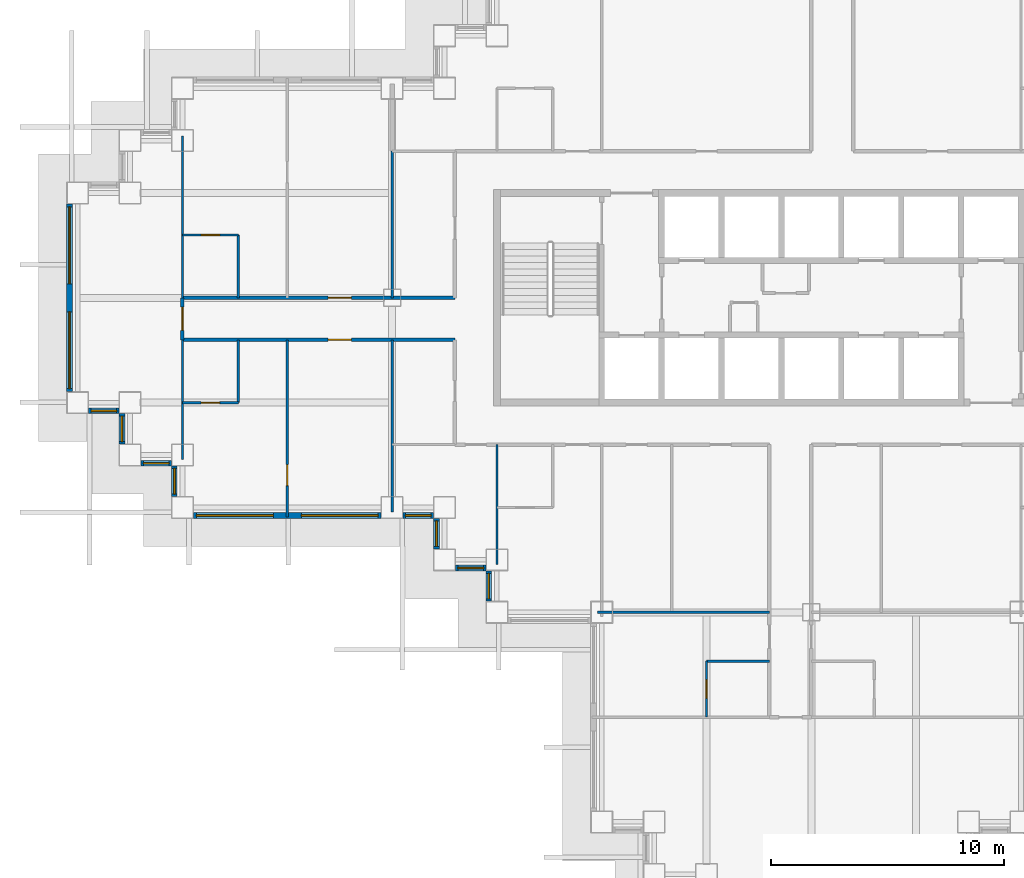
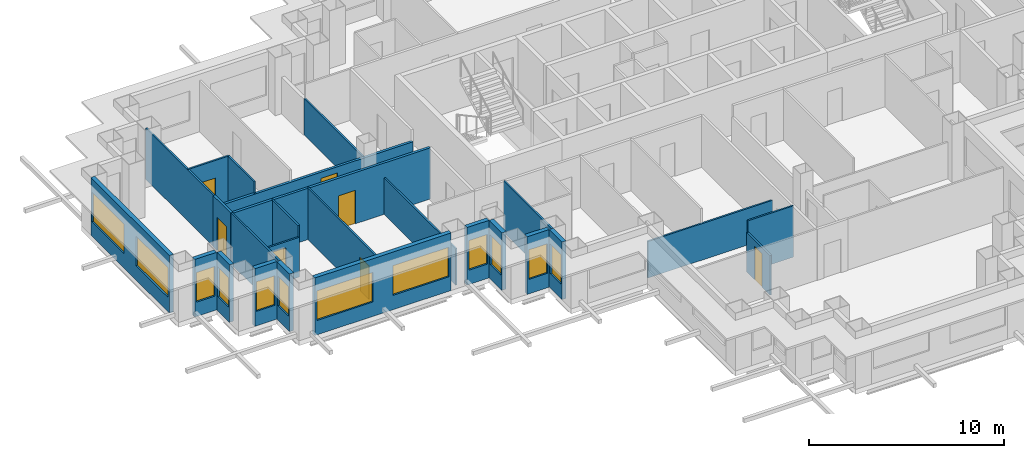
# One storey, part 3 of 15: 26 walls, 12 windows, 7 doors, 19 openings.
"""IFC4 building model written with IfcOpenShell, lengths in metres."""

from ifc_helpers import new_model, si_unit, direction, frame, frame_2d, origin, place, context, subcontext, project, spatial, rectangle, extrude, material, layer, layer_set, type_object, element, fill, save


model = new_model("IFC4")

# Units and contexts
model_context = context("Model", 3, precision=1e-05, world=origin(), true_north=direction((0.0, 1.0)))
body_context = subcontext(model_context, "Body", "Model", "MODEL_VIEW")
ifc_project = project(units=[si_unit("LENGTHUNIT", "METRE"), si_unit("AREAUNIT", "SQUARE_METRE"), si_unit("VOLUMEUNIT", "CUBIC_METRE"), si_unit("PLANEANGLEUNIT", "RADIAN"), si_unit("MASSUNIT", "GRAM", prefix="KILO")], contexts=[model_context])

# Site, building, storey
site_placement = place(None, origin())
site = spatial("IfcSite", under=ifc_project, at=site_placement, CompositionType="ELEMENT")
building_placement = place(site_placement, origin())
building = spatial("IfcBuilding", under=site, at=building_placement, Name="Caravel Reach Hotel and Residences", CompositionType="ELEMENT")
storey_placement = place(building_placement, frame((0.0, 0.0, 92.39990234375)))
storey = spatial("IfcBuildingStorey", under=building, at=storey_placement, Name="L22", CompositionType="ELEMENT", Elevation=92.39990234375)

# Wall
ifc_material_1 = material(Name="Gypsum board on steel stud", Category="steel")
ifc_layer_1 = layer(ifc_material_1, 0.10009765625)
ifc_layer_set_1 = layer_set([ifc_layer_1], Name="Bathroom pod wall 100 mm")
wall_type_1 = type_object("IfcWallType", Name="Bathroom pod wall 100 mm", PredefinedType="PARTITIONING", material=ifc_layer_set_1)
wall_1_placement = place(storey_placement, frame((27.0, 11.39990234375, 0.0), z_axis=(0.0, 0.0, 1.0), x_axis=(1.0, 0.0, 0.0)))
element("IfcWall", 1, at=wall_1_placement, inside=storey, type_object=wall_type_1, Name="L22 wall w072", PredefinedType="PARTITIONING", context=body_context, shape_type="SweptSolid", body=[
    extrude(rectangle(XDim=2.699951171875, YDim=0.10009765625, at=frame_2d((1.35009765625, 0.0))), origin(), (0.0, 0.0, 1.0), 3.2001953125),
])

# Wall, opening, door
wall_2_placement = place(storey_placement, frame((4.5, 22.5, 0.0), z_axis=(0.0, 0.0, 1.0), x_axis=(1.0, 0.0, 0.0)))
wall_2 = element("IfcWall", 2, at=wall_2_placement, inside=storey, type_object=wall_type_1, Name="L22 wall w075", PredefinedType="PARTITIONING", context=body_context, shape_type="SweptSolid", body=[
    extrude(rectangle(XDim=2.39990234375, YDim=0.10009765625, at=frame_2d((1.199951171875, 0.0))), origin(), (0.0, 0.0, 1.0), 2.47998046875),
])
opening_1_placement = place(wall_2_placement, frame((0.800048828125, 0.0, 0.0)))
opening_1 = element("IfcOpeningElement", 3, at=opening_1_placement, cuts=wall_2, Name="Opening D22-018", PredefinedType="OPENING", context=body_context, shape_type="SweptSolid", body=[
    extrude(rectangle(XDim=0.800048828125, YDim=2.10009765625, at=frame_2d((0.39990234375, 1.050048828125))), frame((0.0, 0.06005859375, 0.0), z_axis=(0.0, -1.0, 0.0), x_axis=(1.0, 0.0, 0.0)), (0.0, 0.0, 1.0), 0.1201171875),
])
ifc_material_2 = material(Name="Timber and steel door leaf", Category="steel")
door_type_1 = type_object("IfcDoorType", Name="Bathroom door 800 x 2100", OperationType="SINGLE_SWING_LEFT", PredefinedType="DOOR", material=ifc_material_2)
door_1_placement = place(opening_1_placement, origin())
door_1 = element("IfcDoor", 4, at=door_1_placement, inside=storey, type_object=door_type_1, Name="door D22-018", OperationType="SINGLE_SWING_LEFT", OverallHeight=2.10009765625, OverallWidth=0.800048828125, PredefinedType="DOOR", context=body_context, shape_type="SweptSolid", body=[
    extrude(rectangle(XDim=0.800048828125, YDim=2.10009765625, at=frame_2d((0.39990234375, 1.050048828125))), frame((0.0, 0.02490234375, 0.0), z_axis=(0.0, -1.0, 0.0), x_axis=(1.0, 0.0, 0.0)), (0.0, 0.0, 1.0), 0.050048828125),
])
fill(opening_1, door_1)

wall_3_placement = place(storey_placement, frame((4.5, 29.699951171875, 0.0), z_axis=(0.0, 0.0, 1.0), x_axis=(1.0, 0.0, 0.0)))
wall_3 = element("IfcWall", 5, at=wall_3_placement, inside=storey, type_object=wall_type_1, Name="L22 wall w077", PredefinedType="PARTITIONING", context=body_context, shape_type="SweptSolid", body=[
    extrude(rectangle(XDim=2.39990234375, YDim=0.10009765625, at=frame_2d((1.199951171875, 0.0))), origin(), (0.0, 0.0, 1.0), 3.2001953125),
])
opening_2_placement = place(wall_3_placement, frame((0.800048828125, 0.0, 0.0)))
opening_2 = element("IfcOpeningElement", 6, at=opening_2_placement, cuts=wall_3, Name="Opening D22-021", PredefinedType="OPENING", context=body_context, shape_type="SweptSolid", body=[
    extrude(rectangle(XDim=0.800048828125, YDim=2.10009765625, at=frame_2d((0.39990234375, 1.050048828125))), frame((0.0, 0.06005859375, 0.0), z_axis=(0.0, -1.0, 0.0), x_axis=(1.0, 0.0, 0.0)), (0.0, 0.0, 1.0), 0.1201171875),
])
door_2_placement = place(opening_2_placement, origin())
door_2 = element("IfcDoor", 7, at=door_2_placement, inside=storey, type_object=door_type_1, Name="door D22-021", OperationType="SINGLE_SWING_LEFT", OverallHeight=2.10009765625, OverallWidth=0.800048828125, PredefinedType="DOOR", context=body_context, shape_type="SweptSolid", body=[
    extrude(rectangle(XDim=0.800048828125, YDim=2.10009765625, at=frame_2d((0.39990234375, 1.050048828125))), frame((0.0, 0.02490234375, 0.0), z_axis=(0.0, -1.0, 0.0), x_axis=(1.0, 0.0, 0.0)), (0.0, 0.0, 1.0), 0.050048828125),
])
fill(opening_2, door_2)

wall_4_placement = place(storey_placement, frame((27.0, 9.0, 0.0), z_axis=(0.0, 0.0, 1.0), x_axis=(0.0, 1.0, 0.0)))
wall_4 = element("IfcWall", 8, at=wall_4_placement, inside=storey, type_object=wall_type_1, Name="L22 wall w086", PredefinedType="PARTITIONING", context=body_context, shape_type="SweptSolid", body=[
    extrude(rectangle(XDim=2.39990234375, YDim=0.10009765625, at=frame_2d((1.199951171875, 0.0))), origin(), (0.0, 0.0, 1.0), 2.47998046875),
])
opening_3_placement = place(wall_4_placement, frame((0.800048828125, 0.0, 0.0)))
opening_3 = element("IfcOpeningElement", 9, at=opening_3_placement, cuts=wall_4, Name="Opening D22-031", PredefinedType="OPENING", context=body_context, shape_type="SweptSolid", body=[
    extrude(rectangle(XDim=0.800048828125, YDim=2.10009765625, at=frame_2d((0.39990234375, 1.050048828125))), frame((0.0, 0.06005859375, 0.0), z_axis=(0.0, -1.0, 0.0), x_axis=(1.0, 0.0, 0.0)), (0.0, 0.0, 1.0), 0.1201171875),
])
door_3_placement = place(opening_3_placement, origin())
door_3 = element("IfcDoor", 10, at=door_3_placement, inside=storey, type_object=door_type_1, Name="door D22-031", OperationType="SINGLE_SWING_LEFT", OverallHeight=2.10009765625, OverallWidth=0.800048828125, PredefinedType="DOOR", context=body_context, shape_type="SweptSolid", body=[
    extrude(rectangle(XDim=0.800048828125, YDim=2.10009765625, at=frame_2d((0.39990234375, 1.050048828125))), frame((0.0, 0.02490234375, 0.0), z_axis=(0.0, -1.0, 0.0), x_axis=(1.0, 0.0, 0.0)), (0.0, 0.0, 1.0), 0.050048828125),
])
fill(opening_3, door_3)

# Walls
for number, where, z_axis, x_axis, name in (
    (11, (6.89990234375, 27.0, 0.0), (0.0, 0.0, 1.0), (0.0, 1.0, 0.0), "L22 wall w094"),
    (12, (6.89990234375, 22.5, 0.0), (0.0, 0.0, 1.0), (0.0, 1.0, 0.0), "L22 wall w095"),
):
    element("IfcWall", number, at=place(storey_placement, frame(where, z_axis=z_axis, x_axis=x_axis)), inside=storey, type_object=wall_type_1, Name=name, PredefinedType="PARTITIONING", context=body_context, shape_type="SweptSolid", body=[
        extrude(rectangle(XDim=2.699951171875, YDim=0.10009765625, at=frame_2d((1.35009765625, 0.0))), origin(), (0.0, 0.0, 1.0), 3.2001953125),
    ])

# Wall, opening, door
ifc_material_3 = material(Name="Gypsum board on steel stud, fire-rated", Category="steel")
ifc_layer_2 = layer(ifc_material_3, 0.14990234375)
ifc_layer_set_2 = layer_set([ifc_layer_2], Name="Corridor wall 150 mm EI 60")
wall_type_2 = type_object("IfcWallType", Name="Corridor wall 150 mm EI 60", PredefinedType="PARTITIONING", material=ifc_layer_set_2)
wall_5_placement = place(storey_placement, frame((4.5, 25.199951171875, 0.0), z_axis=(0.0, 0.0, 1.0), x_axis=(1.0, 0.0, 0.0)))
wall_5 = element("IfcWall", 13, at=wall_5_placement, inside=storey, type_object=wall_type_2, Name="L22 wall w009", PredefinedType="PARTITIONING", context=body_context, shape_type="SweptSolid", body=[
    extrude(rectangle(XDim=11.699951171875, YDim=0.14990234375, at=frame_2d((5.85009765625, 0.0))), origin(), (0.0, 0.0, 1.0), 3.2001953125),
])
opening_4_placement = place(wall_5_placement, frame((6.25, 0.0, 0.0)))
opening_4 = element("IfcOpeningElement", 14, at=opening_4_placement, cuts=wall_5, Name="Opening D22-016", PredefinedType="OPENING", context=body_context, shape_type="SweptSolid", body=[
    extrude(rectangle(XDim=1.0, YDim=2.10009765625, at=frame_2d((0.5, 1.050048828125))), frame((0.0, 0.0849609375, 0.0), z_axis=(0.0, -1.0, 0.0), x_axis=(1.0, 0.0, 0.0)), (0.0, 0.0, 1.0), 0.169921875),
])
ifc_material_4 = material(Name="Steel fire door leaf", Category="steel")
door_type_2 = type_object("IfcDoorType", Name="Guest room door 1000 x 2100 EI 30", OperationType="SINGLE_SWING_LEFT", PredefinedType="DOOR", material=ifc_material_4)
door_4_placement = place(opening_4_placement, origin())
door_4 = element("IfcDoor", 15, at=door_4_placement, inside=storey, type_object=door_type_2, Name="door D22-016", OperationType="SINGLE_SWING_LEFT", OverallHeight=2.10009765625, OverallWidth=1.0, PredefinedType="DOOR", context=body_context, shape_type="SweptSolid", body=[
    extrude(rectangle(XDim=1.0, YDim=2.10009765625, at=frame_2d((0.5, 1.050048828125))), frame((0.0, 0.02490234375, 0.0), z_axis=(0.0, -1.0, 0.0), x_axis=(1.0, 0.0, 0.0)), (0.0, 0.0, 1.0), 0.050048828125),
])
fill(opening_4, door_4)

wall_6_placement = place(storey_placement, frame((4.5, 27.0, 0.0), z_axis=(0.0, 0.0, 1.0), x_axis=(1.0, 0.0, 0.0)))
wall_6 = element("IfcWall", 16, at=wall_6_placement, inside=storey, type_object=wall_type_2, Name="L22 wall w014", PredefinedType="PARTITIONING", context=body_context, shape_type="SweptSolid", body=[
    extrude(rectangle(XDim=11.699951171875, YDim=0.14990234375, at=frame_2d((5.85009765625, 0.0))), origin(), (0.0, 0.0, 1.0), 2.47998046875),
])
opening_5_placement = place(wall_6_placement, frame((6.25, 0.0, 0.0)))
opening_5 = element("IfcOpeningElement", 17, at=opening_5_placement, cuts=wall_6, Name="Opening D22-019", PredefinedType="OPENING", context=body_context, shape_type="SweptSolid", body=[
    extrude(rectangle(XDim=1.0, YDim=2.10009765625, at=frame_2d((0.5, 1.050048828125))), frame((0.0, 0.0849609375, 0.0), z_axis=(0.0, -1.0, 0.0), x_axis=(1.0, 0.0, 0.0)), (0.0, 0.0, 1.0), 0.169921875),
])
door_5_placement = place(opening_5_placement, origin())
door_5 = element("IfcDoor", 18, at=door_5_placement, inside=storey, type_object=door_type_2, Name="door D22-019", OperationType="SINGLE_SWING_RIGHT", OverallHeight=2.10009765625, OverallWidth=1.0, PredefinedType="DOOR", context=body_context, shape_type="SweptSolid", body=[
    extrude(rectangle(XDim=1.0, YDim=2.10009765625, at=frame_2d((0.5, 1.050048828125))), frame((0.0, 0.02490234375, 0.0), z_axis=(0.0, -1.0, 0.0), x_axis=(1.0, 0.0, 0.0)), (0.0, 0.0, 1.0), 0.050048828125),
])
fill(opening_5, door_5)

wall_7_placement = place(storey_placement, frame((4.5, 25.199951171875, 0.0), z_axis=(0.0, 0.0, 1.0), x_axis=(0.0, 1.0, 0.0)))
wall_7 = element("IfcWall", 19, at=wall_7_placement, inside=storey, type_object=wall_type_2, Name="L22 wall w034", PredefinedType="PARTITIONING", context=body_context, shape_type="SweptSolid", body=[
    extrude(rectangle(XDim=1.800048828125, YDim=0.14990234375, at=frame_2d((0.89990234375, 0.0))), origin(), (0.0, 0.0, 1.0), 3.2001953125),
])
opening_6_placement = place(wall_7_placement, frame((0.39990234375, 0.0, 0.0)))
opening_6 = element("IfcOpeningElement", 20, at=opening_6_placement, cuts=wall_7, Name="Opening D22-034", PredefinedType="OPENING", context=body_context, shape_type="SweptSolid", body=[
    extrude(rectangle(XDim=1.0, YDim=2.10009765625, at=frame_2d((0.5, 1.050048828125))), frame((0.0, 0.0849609375, 0.0), z_axis=(0.0, -1.0, 0.0), x_axis=(1.0, 0.0, 0.0)), (0.0, 0.0, 1.0), 0.169921875),
])
door_6_placement = place(opening_6_placement, origin())
door_6 = element("IfcDoor", 21, at=door_6_placement, inside=storey, type_object=door_type_2, Name="door D22-034", OperationType="SINGLE_SWING_RIGHT", OverallHeight=2.10009765625, OverallWidth=1.0, PredefinedType="DOOR", context=body_context, shape_type="SweptSolid", body=[
    extrude(rectangle(XDim=1.0, YDim=2.10009765625, at=frame_2d((0.5, 1.050048828125))), frame((0.0, 0.02490234375, 0.0), z_axis=(0.0, -1.0, 0.0), x_axis=(1.0, 0.0, 0.0)), (0.0, 0.0, 1.0), 0.050048828125),
])
fill(opening_6, door_6)

# Wall, openings, windows
ifc_material_5 = material(Name="Insulated rainscreen wall, aluminium cladding", Category="aluminium")
ifc_layer_3 = layer(ifc_material_5, 0.25)
ifc_layer_set_3 = layer_set([ifc_layer_3], Name="EW1 Tower rainscreen wall")
wall_type_3 = type_object("IfcWallType", Name="EW1 Tower rainscreen wall", PredefinedType="SOLIDWALL", material=ifc_layer_set_3)
wall_8_placement = place(storey_placement, frame((-0.35009765625, 31.02490234375, 0.0), z_axis=(0.0, 0.0, 1.0), x_axis=(0.0, -1.0, 0.0)))
wall_8 = element("IfcWall", 22, at=wall_8_placement, inside=storey, type_object=wall_type_3, Name="External wall L22 W50.1", PredefinedType="SOLIDWALL", context=body_context, shape_type="SweptSolid", body=[
    extrude(rectangle(XDim=8.0498046875, YDim=0.25, at=frame_2d((4.02490234375, 0.0))), origin(), (0.0, 0.0, 1.0), 3.60009765625),
])
opening_7_placement = place(wall_8_placement, frame((0.125, 0.0, 0.89990234375)))
opening_7 = element("IfcOpeningElement", 23, at=opening_7_placement, cuts=wall_8, Name="Opening WN7", PredefinedType="OPENING", context=body_context, shape_type="SweptSolid", body=[
    extrude(rectangle(XDim=3.300048828125, YDim=1.85009765625, at=frame_2d((1.64990234375, 0.925048828125))), frame((0.0, 0.135009765625, 0.0), z_axis=(0.0, -1.0, 0.0), x_axis=(1.0, 0.0, 0.0)), (0.0, 0.0, 1.0), 0.27001953125),
])
opening_8_placement = place(wall_8_placement, frame((4.625, 0.0, 0.89990234375)))
opening_8 = element("IfcOpeningElement", 24, at=opening_8_placement, cuts=wall_8, Name="Opening WN7", PredefinedType="OPENING", context=body_context, shape_type="SweptSolid", body=[
    extrude(rectangle(XDim=3.300048828125, YDim=1.85009765625, at=frame_2d((1.64990234375, 0.925048828125))), frame((0.0, 0.135009765625, 0.0), z_axis=(0.0, -1.0, 0.0), x_axis=(1.0, 0.0, 0.0)), (0.0, 0.0, 1.0), 0.27001953125),
])
ifc_material_6 = material(Name="Dark low-e glazing in black aluminium frame", Category="aluminium")
window_type_1 = type_object("IfcWindowType", Name="Hotel guest room window 3300 x 1850", PartitioningType="SINGLE_PANEL", PredefinedType="WINDOW", material=ifc_material_6)
window_1_placement = place(opening_7_placement, origin())
window_1 = element("IfcWindow", 25, at=window_1_placement, inside=storey, type_object=window_type_1, Name="Window L22 W50.1.1", OverallHeight=1.85009765625, OverallWidth=3.300048828125, PartitioningType="SINGLE_PANEL", PredefinedType="WINDOW", context=body_context, shape_type="SweptSolid", body=[
    extrude(rectangle(XDim=3.300048828125, YDim=1.85009765625, at=frame_2d((1.64990234375, 0.925048828125))), frame((0.0, 0.030029296875, 0.0), z_axis=(0.0, -1.0, 0.0), x_axis=(1.0, 0.0, 0.0)), (0.0, 0.0, 1.0), 0.06005859375),
])
fill(opening_7, window_1)
window_2_placement = place(opening_8_placement, origin())
window_2 = element("IfcWindow", 26, at=window_2_placement, inside=storey, type_object=window_type_1, Name="Window L22 W50.1.2", OverallHeight=1.85009765625, OverallWidth=3.300048828125, PartitioningType="SINGLE_PANEL", PredefinedType="WINDOW", context=body_context, shape_type="SweptSolid", body=[
    extrude(rectangle(XDim=3.300048828125, YDim=1.85009765625, at=frame_2d((1.64990234375, 0.925048828125))), frame((0.0, 0.030029296875, 0.0), z_axis=(0.0, -1.0, 0.0), x_axis=(1.0, 0.0, 0.0)), (0.0, 0.0, 1.0), 0.06005859375),
])
fill(opening_8, window_2)

# Wall, opening, window
wall_9_placement = place(storey_placement, frame((0.47509765625, 22.14990234375, 0.0), z_axis=(0.0, 0.0, 1.0), x_axis=(1.0, 0.0, 0.0)))
wall_9 = element("IfcWall", 27, at=wall_9_placement, inside=storey, type_object=wall_type_3, Name="External wall L22 S51.1", PredefinedType="SOLIDWALL", context=body_context, shape_type="SweptSolid", body=[
    extrude(rectangle(XDim=1.2998046875, YDim=0.25, at=frame_2d((0.64990234375, 0.0))), origin(), (0.0, 0.0, 1.0), 3.60009765625),
])
opening_9_placement = place(wall_9_placement, frame((0.10009765625, 0.0, 0.89990234375)))
opening_9 = element("IfcOpeningElement", 28, at=opening_9_placement, cuts=wall_9, Name="Opening WN6", PredefinedType="OPENING", context=body_context, shape_type="SweptSolid", body=[
    extrude(rectangle(XDim=1.10009765625, YDim=1.85009765625, at=frame_2d((0.550048828125, 0.925048828125))), frame((0.0, 0.135009765625, 0.0), z_axis=(0.0, -1.0, 0.0), x_axis=(1.0, 0.0, 0.0)), (0.0, 0.0, 1.0), 0.27001953125),
])
ifc_material_7 = material(Name="Dark low-e glazing in black aluminium frame", Category="aluminium")
window_type_2 = type_object("IfcWindowType", Name="Hotel suite corner window 1100 x 1850", PartitioningType="SINGLE_PANEL", PredefinedType="WINDOW", material=ifc_material_7)
window_3_placement = place(opening_9_placement, origin())
window_3 = element("IfcWindow", 29, at=window_3_placement, inside=storey, type_object=window_type_2, Name="Window L22 S51.1.1", OverallHeight=1.85009765625, OverallWidth=1.10009765625, PartitioningType="SINGLE_PANEL", PredefinedType="WINDOW", context=body_context, shape_type="SweptSolid", body=[
    extrude(rectangle(XDim=1.10009765625, YDim=1.85009765625, at=frame_2d((0.550048828125, 0.925048828125))), frame((0.0, 0.030029296875, 0.0), z_axis=(0.0, -1.0, 0.0), x_axis=(1.0, 0.0, 0.0)), (0.0, 0.0, 1.0), 0.06005859375),
])
fill(opening_9, window_3)

wall_10_placement = place(storey_placement, frame((1.89990234375, 22.02490234375, 0.0), z_axis=(0.0, 0.0, 1.0), x_axis=(0.0, -1.0, 0.0)))
wall_10 = element("IfcWall", 30, at=wall_10_placement, inside=storey, type_object=wall_type_3, Name="External wall L22 W52.1", PredefinedType="SOLIDWALL", context=body_context, shape_type="SweptSolid", body=[
    extrude(rectangle(XDim=1.2998046875, YDim=0.25, at=frame_2d((0.64990234375, 0.0))), origin(), (0.0, 0.0, 1.0), 3.60009765625),
])
opening_10_placement = place(wall_10_placement, frame((0.10009765625, 0.0, 0.89990234375)))
opening_10 = element("IfcOpeningElement", 31, at=opening_10_placement, cuts=wall_10, Name="Opening WN6", PredefinedType="OPENING", context=body_context, shape_type="SweptSolid", body=[
    extrude(rectangle(XDim=1.10009765625, YDim=1.85009765625, at=frame_2d((0.550048828125, 0.925048828125))), frame((0.0, 0.135009765625, 0.0), z_axis=(0.0, -1.0, 0.0), x_axis=(1.0, 0.0, 0.0)), (0.0, 0.0, 1.0), 0.27001953125),
])
window_4_placement = place(opening_10_placement, origin())
window_4 = element("IfcWindow", 32, at=window_4_placement, inside=storey, type_object=window_type_2, Name="Window L22 W52.1.1", OverallHeight=1.85009765625, OverallWidth=1.10009765625, PartitioningType="SINGLE_PANEL", PredefinedType="WINDOW", context=body_context, shape_type="SweptSolid", body=[
    extrude(rectangle(XDim=1.10009765625, YDim=1.85009765625, at=frame_2d((0.550048828125, 0.925048828125))), frame((0.0, 0.030029296875, 0.0), z_axis=(0.0, -1.0, 0.0), x_axis=(1.0, 0.0, 0.0)), (0.0, 0.0, 1.0), 0.06005859375),
])
fill(opening_10, window_4)

wall_11_placement = place(storey_placement, frame((2.72509765625, 19.89990234375, 0.0), z_axis=(0.0, 0.0, 1.0), x_axis=(1.0, 0.0, 0.0)))
wall_11 = element("IfcWall", 33, at=wall_11_placement, inside=storey, type_object=wall_type_3, Name="External wall L22 S53.1", PredefinedType="SOLIDWALL", context=body_context, shape_type="SweptSolid", body=[
    extrude(rectangle(XDim=1.2998046875, YDim=0.25, at=frame_2d((0.64990234375, 0.0))), origin(), (0.0, 0.0, 1.0), 3.60009765625),
])
opening_11_placement = place(wall_11_placement, frame((0.10009765625, 0.0, 0.89990234375)))
opening_11 = element("IfcOpeningElement", 34, at=opening_11_placement, cuts=wall_11, Name="Opening WN6", PredefinedType="OPENING", context=body_context, shape_type="SweptSolid", body=[
    extrude(rectangle(XDim=1.10009765625, YDim=1.85009765625, at=frame_2d((0.550048828125, 0.925048828125))), frame((0.0, 0.135009765625, 0.0), z_axis=(0.0, -1.0, 0.0), x_axis=(1.0, 0.0, 0.0)), (0.0, 0.0, 1.0), 0.27001953125),
])
window_5_placement = place(opening_11_placement, origin())
window_5 = element("IfcWindow", 35, at=window_5_placement, inside=storey, type_object=window_type_2, Name="Window L22 S53.1.1", OverallHeight=1.85009765625, OverallWidth=1.10009765625, PartitioningType="SINGLE_PANEL", PredefinedType="WINDOW", context=body_context, shape_type="SweptSolid", body=[
    extrude(rectangle(XDim=1.10009765625, YDim=1.85009765625, at=frame_2d((0.550048828125, 0.925048828125))), frame((0.0, 0.030029296875, 0.0), z_axis=(0.0, -1.0, 0.0), x_axis=(1.0, 0.0, 0.0)), (0.0, 0.0, 1.0), 0.06005859375),
])
fill(opening_11, window_5)

wall_12_placement = place(storey_placement, frame((4.14990234375, 19.77490234375, 0.0), z_axis=(0.0, 0.0, 1.0), x_axis=(0.0, -1.0, 0.0)))
wall_12 = element("IfcWall", 36, at=wall_12_placement, inside=storey, type_object=wall_type_3, Name="External wall L22 W54.1", PredefinedType="SOLIDWALL", context=body_context, shape_type="SweptSolid", body=[
    extrude(rectangle(XDim=1.2998046875, YDim=0.25, at=frame_2d((0.64990234375, 0.0))), origin(), (0.0, 0.0, 1.0), 3.60009765625),
])
opening_12_placement = place(wall_12_placement, frame((0.10009765625, 0.0, 0.89990234375)))
opening_12 = element("IfcOpeningElement", 37, at=opening_12_placement, cuts=wall_12, Name="Opening WN6", PredefinedType="OPENING", context=body_context, shape_type="SweptSolid", body=[
    extrude(rectangle(XDim=1.10009765625, YDim=1.85009765625, at=frame_2d((0.550048828125, 0.925048828125))), frame((0.0, 0.135009765625, 0.0), z_axis=(0.0, -1.0, 0.0), x_axis=(1.0, 0.0, 0.0)), (0.0, 0.0, 1.0), 0.27001953125),
])
window_6_placement = place(opening_12_placement, origin())
window_6 = element("IfcWindow", 38, at=window_6_placement, inside=storey, type_object=window_type_2, Name="Window L22 W54.1.1", OverallHeight=1.85009765625, OverallWidth=1.10009765625, PartitioningType="SINGLE_PANEL", PredefinedType="WINDOW", context=body_context, shape_type="SweptSolid", body=[
    extrude(rectangle(XDim=1.10009765625, YDim=1.85009765625, at=frame_2d((0.550048828125, 0.925048828125))), frame((0.0, 0.030029296875, 0.0), z_axis=(0.0, -1.0, 0.0), x_axis=(1.0, 0.0, 0.0)), (0.0, 0.0, 1.0), 0.06005859375),
])
fill(opening_12, window_6)

# Wall, openings, windows
wall_13_placement = place(storey_placement, frame((4.97509765625, 17.64990234375, 0.0), z_axis=(0.0, 0.0, 1.0), x_axis=(1.0, 0.0, 0.0)))
wall_13 = element("IfcWall", 39, at=wall_13_placement, inside=storey, type_object=wall_type_3, Name="External wall L22 S55.1", PredefinedType="SOLIDWALL", context=body_context, shape_type="SweptSolid", body=[
    extrude(rectangle(XDim=8.0498046875, YDim=0.25, at=frame_2d((4.02490234375, 0.0))), origin(), (0.0, 0.0, 1.0), 3.60009765625),
])
opening_13_placement = place(wall_13_placement, frame((0.125, 0.0, 0.89990234375)))
opening_13 = element("IfcOpeningElement", 40, at=opening_13_placement, cuts=wall_13, Name="Opening WN7", PredefinedType="OPENING", context=body_context, shape_type="SweptSolid", body=[
    extrude(rectangle(XDim=3.300048828125, YDim=1.85009765625, at=frame_2d((1.64990234375, 0.925048828125))), frame((0.0, 0.135009765625, 0.0), z_axis=(0.0, -1.0, 0.0), x_axis=(1.0, 0.0, 0.0)), (0.0, 0.0, 1.0), 0.27001953125),
])
opening_14_placement = place(wall_13_placement, frame((4.625, 0.0, 0.89990234375)))
opening_14 = element("IfcOpeningElement", 41, at=opening_14_placement, cuts=wall_13, Name="Opening WN7", PredefinedType="OPENING", context=body_context, shape_type="SweptSolid", body=[
    extrude(rectangle(XDim=3.300048828125, YDim=1.85009765625, at=frame_2d((1.64990234375, 0.925048828125))), frame((0.0, 0.135009765625, 0.0), z_axis=(0.0, -1.0, 0.0), x_axis=(1.0, 0.0, 0.0)), (0.0, 0.0, 1.0), 0.27001953125),
])
window_7_placement = place(opening_13_placement, origin())
window_7 = element("IfcWindow", 42, at=window_7_placement, inside=storey, type_object=window_type_1, Name="Window L22 S55.1.1", OverallHeight=1.85009765625, OverallWidth=3.300048828125, PartitioningType="SINGLE_PANEL", PredefinedType="WINDOW", context=body_context, shape_type="SweptSolid", body=[
    extrude(rectangle(XDim=3.300048828125, YDim=1.85009765625, at=frame_2d((1.64990234375, 0.925048828125))), frame((0.0, 0.030029296875, 0.0), z_axis=(0.0, -1.0, 0.0), x_axis=(1.0, 0.0, 0.0)), (0.0, 0.0, 1.0), 0.06005859375),
])
fill(opening_13, window_7)
window_8_placement = place(opening_14_placement, origin())
window_8 = element("IfcWindow", 43, at=window_8_placement, inside=storey, type_object=window_type_1, Name="Window L22 S55.1.2", OverallHeight=1.85009765625, OverallWidth=3.300048828125, PartitioningType="SINGLE_PANEL", PredefinedType="WINDOW", context=body_context, shape_type="SweptSolid", body=[
    extrude(rectangle(XDim=3.300048828125, YDim=1.85009765625, at=frame_2d((1.64990234375, 0.925048828125))), frame((0.0, 0.030029296875, 0.0), z_axis=(0.0, -1.0, 0.0), x_axis=(1.0, 0.0, 0.0)), (0.0, 0.0, 1.0), 0.06005859375),
])
fill(opening_14, window_8)

# Wall, opening, window
wall_14_placement = place(storey_placement, frame((13.97509765625, 17.64990234375, 0.0), z_axis=(0.0, 0.0, 1.0), x_axis=(1.0, 0.0, 0.0)))
wall_14 = element("IfcWall", 44, at=wall_14_placement, inside=storey, type_object=wall_type_3, Name="External wall L22 S55.2", PredefinedType="SOLIDWALL", context=body_context, shape_type="SweptSolid", body=[
    extrude(rectangle(XDim=1.2998046875, YDim=0.25, at=frame_2d((0.64990234375, 0.0))), origin(), (0.0, 0.0, 1.0), 3.60009765625),
])
opening_15_placement = place(wall_14_placement, frame((0.10009765625, 0.0, 0.89990234375)))
opening_15 = element("IfcOpeningElement", 45, at=opening_15_placement, cuts=wall_14, Name="Opening WN6", PredefinedType="OPENING", context=body_context, shape_type="SweptSolid", body=[
    extrude(rectangle(XDim=1.10009765625, YDim=1.85009765625, at=frame_2d((0.550048828125, 0.925048828125))), frame((0.0, 0.135009765625, 0.0), z_axis=(0.0, -1.0, 0.0), x_axis=(1.0, 0.0, 0.0)), (0.0, 0.0, 1.0), 0.27001953125),
])
window_9_placement = place(opening_15_placement, origin())
window_9 = element("IfcWindow", 46, at=window_9_placement, inside=storey, type_object=window_type_2, Name="Window L22 S55.2.1", OverallHeight=1.85009765625, OverallWidth=1.10009765625, PartitioningType="SINGLE_PANEL", PredefinedType="WINDOW", context=body_context, shape_type="SweptSolid", body=[
    extrude(rectangle(XDim=1.10009765625, YDim=1.85009765625, at=frame_2d((0.550048828125, 0.925048828125))), frame((0.0, 0.030029296875, 0.0), z_axis=(0.0, -1.0, 0.0), x_axis=(1.0, 0.0, 0.0)), (0.0, 0.0, 1.0), 0.06005859375),
])
fill(opening_15, window_9)

wall_15_placement = place(storey_placement, frame((15.39990234375, 17.52490234375, 0.0), z_axis=(0.0, 0.0, 1.0), x_axis=(0.0, -1.0, 0.0)))
wall_15 = element("IfcWall", 47, at=wall_15_placement, inside=storey, type_object=wall_type_3, Name="External wall L22 W56.1", PredefinedType="SOLIDWALL", context=body_context, shape_type="SweptSolid", body=[
    extrude(rectangle(XDim=1.2998046875, YDim=0.25, at=frame_2d((0.64990234375, 0.0))), origin(), (0.0, 0.0, 1.0), 3.60009765625),
])
opening_16_placement = place(wall_15_placement, frame((0.10009765625, 0.0, 0.89990234375)))
opening_16 = element("IfcOpeningElement", 48, at=opening_16_placement, cuts=wall_15, Name="Opening WN6", PredefinedType="OPENING", context=body_context, shape_type="SweptSolid", body=[
    extrude(rectangle(XDim=1.10009765625, YDim=1.85009765625, at=frame_2d((0.550048828125, 0.925048828125))), frame((0.0, 0.135009765625, 0.0), z_axis=(0.0, -1.0, 0.0), x_axis=(1.0, 0.0, 0.0)), (0.0, 0.0, 1.0), 0.27001953125),
])
window_10_placement = place(opening_16_placement, origin())
window_10 = element("IfcWindow", 49, at=window_10_placement, inside=storey, type_object=window_type_2, Name="Window L22 W56.1.1", OverallHeight=1.85009765625, OverallWidth=1.10009765625, PartitioningType="SINGLE_PANEL", PredefinedType="WINDOW", context=body_context, shape_type="SweptSolid", body=[
    extrude(rectangle(XDim=1.10009765625, YDim=1.85009765625, at=frame_2d((0.550048828125, 0.925048828125))), frame((0.0, 0.030029296875, 0.0), z_axis=(0.0, -1.0, 0.0), x_axis=(1.0, 0.0, 0.0)), (0.0, 0.0, 1.0), 0.06005859375),
])
fill(opening_16, window_10)

wall_16_placement = place(storey_placement, frame((16.22509765625, 15.39990234375, 0.0), z_axis=(0.0, 0.0, 1.0), x_axis=(1.0, 0.0, 0.0)))
wall_16 = element("IfcWall", 50, at=wall_16_placement, inside=storey, type_object=wall_type_3, Name="External wall L22 S57.1", PredefinedType="SOLIDWALL", context=body_context, shape_type="SweptSolid", body=[
    extrude(rectangle(XDim=1.2998046875, YDim=0.25, at=frame_2d((0.64990234375, 0.0))), origin(), (0.0, 0.0, 1.0), 3.60009765625),
])
opening_17_placement = place(wall_16_placement, frame((0.10009765625, 0.0, 0.89990234375)))
opening_17 = element("IfcOpeningElement", 51, at=opening_17_placement, cuts=wall_16, Name="Opening WN6", PredefinedType="OPENING", context=body_context, shape_type="SweptSolid", body=[
    extrude(rectangle(XDim=1.10009765625, YDim=1.85009765625, at=frame_2d((0.550048828125, 0.925048828125))), frame((0.0, 0.135009765625, 0.0), z_axis=(0.0, -1.0, 0.0), x_axis=(1.0, 0.0, 0.0)), (0.0, 0.0, 1.0), 0.27001953125),
])
window_11_placement = place(opening_17_placement, origin())
window_11 = element("IfcWindow", 52, at=window_11_placement, inside=storey, type_object=window_type_2, Name="Window L22 S57.1.1", OverallHeight=1.85009765625, OverallWidth=1.10009765625, PartitioningType="SINGLE_PANEL", PredefinedType="WINDOW", context=body_context, shape_type="SweptSolid", body=[
    extrude(rectangle(XDim=1.10009765625, YDim=1.85009765625, at=frame_2d((0.550048828125, 0.925048828125))), frame((0.0, 0.030029296875, 0.0), z_axis=(0.0, -1.0, 0.0), x_axis=(1.0, 0.0, 0.0)), (0.0, 0.0, 1.0), 0.06005859375),
])
fill(opening_17, window_11)

wall_17_placement = place(storey_placement, frame((17.64990234375, 15.27490234375, 0.0), z_axis=(0.0, 0.0, 1.0), x_axis=(0.0, -1.0, 0.0)))
wall_17 = element("IfcWall", 53, at=wall_17_placement, inside=storey, type_object=wall_type_3, Name="External wall L22 W58.1", PredefinedType="SOLIDWALL", context=body_context, shape_type="SweptSolid", body=[
    extrude(rectangle(XDim=1.2998046875, YDim=0.25, at=frame_2d((0.64990234375, 0.0))), origin(), (0.0, 0.0, 1.0), 3.60009765625),
])
opening_18_placement = place(wall_17_placement, frame((0.10009765625, 0.0, 0.89990234375)))
opening_18 = element("IfcOpeningElement", 54, at=opening_18_placement, cuts=wall_17, Name="Opening WN6", PredefinedType="OPENING", context=body_context, shape_type="SweptSolid", body=[
    extrude(rectangle(XDim=1.10009765625, YDim=1.85009765625, at=frame_2d((0.550048828125, 0.925048828125))), frame((0.0, 0.135009765625, 0.0), z_axis=(0.0, -1.0, 0.0), x_axis=(1.0, 0.0, 0.0)), (0.0, 0.0, 1.0), 0.27001953125),
])
window_12_placement = place(opening_18_placement, origin())
window_12 = element("IfcWindow", 55, at=window_12_placement, inside=storey, type_object=window_type_2, Name="Window L22 W58.1.1", OverallHeight=1.85009765625, OverallWidth=1.10009765625, PartitioningType="SINGLE_PANEL", PredefinedType="WINDOW", context=body_context, shape_type="SweptSolid", body=[
    extrude(rectangle(XDim=1.10009765625, YDim=1.85009765625, at=frame_2d((0.550048828125, 0.925048828125))), frame((0.0, 0.030029296875, 0.0), z_axis=(0.0, -1.0, 0.0), x_axis=(1.0, 0.0, 0.0)), (0.0, 0.0, 1.0), 0.06005859375),
])
fill(opening_18, window_12)

# Walls
ifc_material_8 = material(Name="Gypsum board on steel stud", Category="steel")
ifc_layer_4 = layer(ifc_material_8, 0.10009765625)
ifc_layer_set_4 = layer_set([ifc_layer_4], Name="Partition 100 mm")
wall_type_4 = type_object("IfcWallType", Name="Partition 100 mm", PredefinedType="PARTITIONING", material=ifc_layer_set_4)
wall_18_placement = place(storey_placement, frame((22.31005859375, 13.5, 0.0), z_axis=(0.0, 0.0, 1.0), x_axis=(1.0, 0.0, 0.0)))
element("IfcWall", 56, at=wall_18_placement, inside=storey, type_object=wall_type_4, Name="L22 wall w040", PredefinedType="PARTITIONING", context=body_context, shape_type="SweptSolid", body=[
    extrude(rectangle(XDim=7.389892578125, YDim=0.10009765625, at=frame_2d((3.69482421875, 0.0))), origin(), (0.0, 0.0, 1.0), 2.280029296875),
])
wall_19_placement = place(storey_placement, frame((13.5, 27.0, 0.0), z_axis=(0.0, 0.0, 1.0), x_axis=(0.0, 1.0, 0.0)))
element("IfcWall", 57, at=wall_19_placement, inside=storey, type_object=wall_type_4, Name="L22 wall w051", PredefinedType="PARTITIONING", context=body_context, shape_type="SweptSolid", body=[
    extrude(rectangle(XDim=6.300048828125, YDim=0.10009765625, at=frame_2d((3.14990234375, 0.0))), origin(), (0.0, 0.0, 1.0), 2.280029296875),
])
wall_20_placement = place(storey_placement, frame((13.5, 17.81005859375, 0.0), z_axis=(0.0, 0.0, 1.0), x_axis=(0.0, 1.0, 0.0)))
element("IfcWall", 58, at=wall_20_placement, inside=storey, type_object=wall_type_4, Name="L22 wall w053", PredefinedType="PARTITIONING", context=body_context, shape_type="SweptSolid", body=[
    extrude(rectangle(XDim=7.389892578125, YDim=0.10009765625, at=frame_2d((3.69482421875, 0.0))), origin(), (0.0, 0.0, 1.0), 2.280029296875),
])
wall_21_placement = place(storey_placement, frame((18.0, 15.56005859375, 0.0), z_axis=(0.0, 0.0, 1.0), x_axis=(0.0, 1.0, 0.0)))
element("IfcWall", 59, at=wall_21_placement, inside=storey, type_object=wall_type_4, Name="L22 wall w054", PredefinedType="PARTITIONING", context=body_context, shape_type="SweptSolid", body=[
    extrude(rectangle(XDim=5.139892578125, YDim=0.10009765625, at=frame_2d((2.56982421875, 0.0))), origin(), (0.0, 0.0, 1.0), 3.2001953125),
])
wall_22_placement = place(storey_placement, frame((4.5, 27.0, 0.0), z_axis=(0.0, 0.0, 1.0), x_axis=(0.0, 1.0, 0.0)))
element("IfcWall", 60, at=wall_22_placement, inside=storey, type_object=wall_type_4, Name="L22 wall w059", PredefinedType="PARTITIONING", context=body_context, shape_type="SweptSolid", body=[
    extrude(rectangle(XDim=6.93994140625, YDim=0.10009765625, at=frame_2d((3.469970703125, 0.0))), origin(), (0.0, 0.0, 1.0), 3.2001953125),
])
wall_23_placement = place(storey_placement, frame((4.5, 20.06005859375, 0.0), z_axis=(0.0, 0.0, 1.0), x_axis=(0.0, 1.0, 0.0)))
element("IfcWall", 61, at=wall_23_placement, inside=storey, type_object=wall_type_4, Name="L22 wall w060", PredefinedType="PARTITIONING", context=body_context, shape_type="SweptSolid", body=[
    extrude(rectangle(XDim=5.139892578125, YDim=0.10009765625, at=frame_2d((2.56982421875, 0.0))), origin(), (0.0, 0.0, 1.0), 3.2001953125),
])

# Wall, opening, door
wall_24_placement = place(storey_placement, frame((9.0, 17.5849609375, 0.0), z_axis=(0.0, 0.0, 1.0), x_axis=(0.0, 1.0, 0.0)))
wall_24 = element("IfcWall", 62, at=wall_24_placement, inside=storey, type_object=wall_type_4, Name="L22 wall w068", PredefinedType="PARTITIONING", context=body_context, shape_type="SweptSolid", body=[
    extrude(rectangle(XDim=7.614990234375, YDim=0.10009765625, at=frame_2d((3.8076171875, 0.0))), origin(), (0.0, 0.0, 1.0), 3.2001953125),
])
opening_19_placement = place(wall_24_placement, frame((1.35009765625, 0.0, 0.0)))
opening_19 = element("IfcOpeningElement", 63, at=opening_19_placement, cuts=wall_24, Name="Opening D22-017", PredefinedType="OPENING", context=body_context, shape_type="SweptSolid", body=[
    extrude(rectangle(XDim=0.89990234375, YDim=2.10009765625, at=frame_2d((0.449951171875, 1.050048828125))), frame((0.0, 0.06005859375, 0.0), z_axis=(0.0, -1.0, 0.0), x_axis=(1.0, 0.0, 0.0)), (0.0, 0.0, 1.0), 0.1201171875),
])
ifc_material_9 = material(Name="Timber and steel door leaf", Category="steel")
door_type_3 = type_object("IfcDoorType", Name="Door 900 x 2100 timber", OperationType="SINGLE_SWING_LEFT", PredefinedType="DOOR", material=ifc_material_9)
door_7_placement = place(opening_19_placement, origin())
door_7 = element("IfcDoor", 64, at=door_7_placement, inside=storey, type_object=door_type_3, Name="door D22-017", OperationType="SINGLE_SWING_LEFT", OverallHeight=2.10009765625, OverallWidth=0.89990234375, PredefinedType="DOOR", context=body_context, shape_type="SweptSolid", body=[
    extrude(rectangle(XDim=0.89990234375, YDim=2.10009765625, at=frame_2d((0.449951171875, 1.050048828125))), frame((0.0, 0.02490234375, 0.0), z_axis=(0.0, -1.0, 0.0), x_axis=(1.0, 0.0, 0.0)), (0.0, 0.0, 1.0), 0.050048828125),
])
fill(opening_19, door_7)

save(model, "model.ifc")
